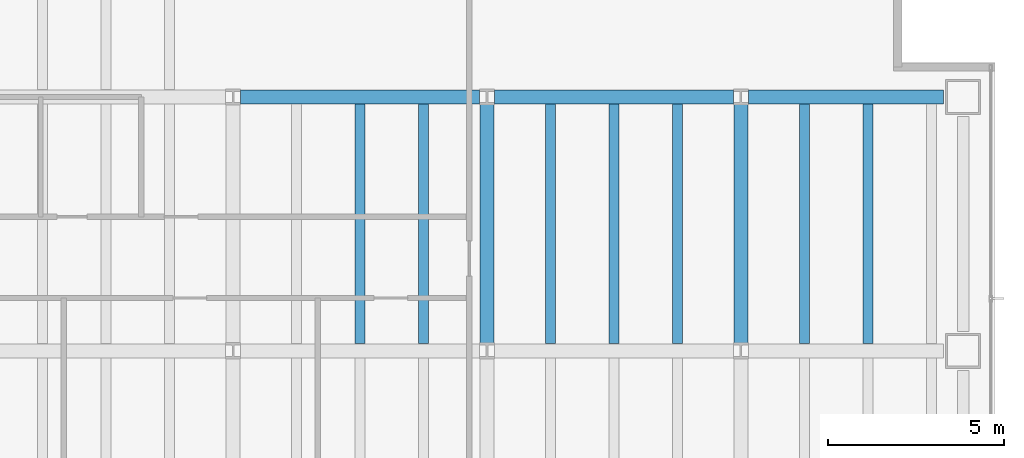
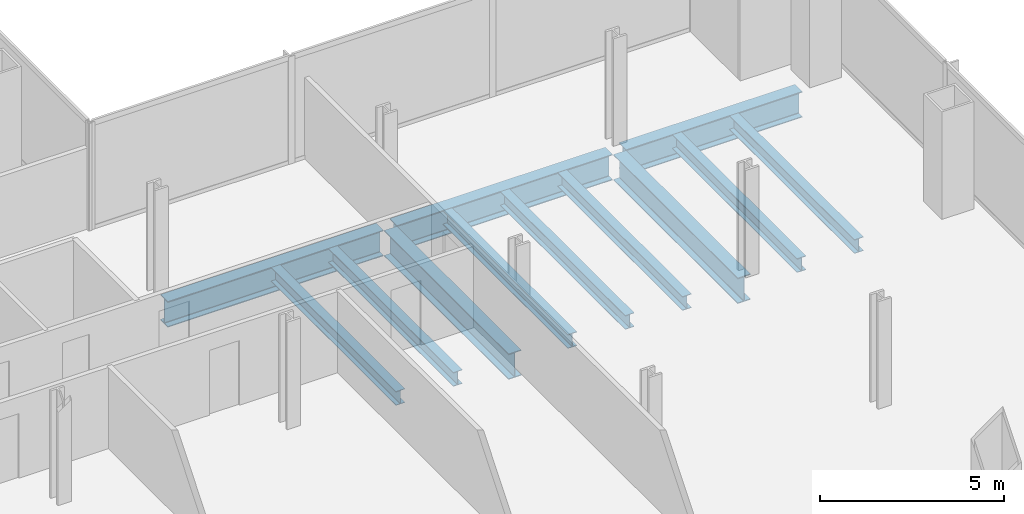
# One storey, part 11 of 25: 12 beams.
"""IFC4 building model written with IfcOpenShell, lengths in metres."""

from ifc_helpers import new_model, si_unit, direction, frame, origin, origin_2d, place, context, subcontext, project, spatial, i_section, extrude, material, material_profile, profile_set, type_object, element, save


model = new_model("IFC4")

# Units and contexts
model_context = context("Model", 3, precision=1e-05, world=origin(), true_north=direction((0.0, 1.0)))
body_context = subcontext(model_context, "Body", "Model", "MODEL_VIEW")
ifc_project = project(units=[si_unit("LENGTHUNIT", "METRE"), si_unit("AREAUNIT", "SQUARE_METRE"), si_unit("VOLUMEUNIT", "CUBIC_METRE"), si_unit("PLANEANGLEUNIT", "RADIAN"), si_unit("MASSUNIT", "GRAM", prefix="KILO")], contexts=[model_context])

# Site, building, storey
site_placement = place(None, origin())
site = spatial("IfcSite", under=ifc_project, at=site_placement, CompositionType="ELEMENT")
building_placement = place(site_placement, origin())
building = spatial("IfcBuilding", under=site, at=building_placement, Name="Cobrela Telecom Tower", CompositionType="ELEMENT")
storey_placement = place(building_placement, frame((0.0, 0.0, 46.550048828125)))
storey = spatial("IfcBuildingStorey", under=building, at=storey_placement, Name="L11", CompositionType="ELEMENT", Elevation=46.550048828125)

# Beams
ifc_material = material(Name="Steel ASTM A992 Grade 50", Category="steel")
ifc_material_profile_1 = material_profile(ifc_material, i_section(OverallWidth=0.39892578125, OverallDepth=0.85595703125, WebThickness=0.018310546875, FlangeThickness=0.029296875, FilletRadius=0.02001953125, at=origin_2d()), Name="W33X201")
ifc_profile_set_1 = profile_set([ifc_material_profile_1], Name="Steel ASTM A992 Grade 50")
beam_type_1 = type_object("IfcBeamType", Name="BM-GIRD-03", PredefinedType="USERDEFINED", material=ifc_profile_set_1)
for number, where, z_axis, x_axis, name in (
    (1, (29.01611328125, 21.60009765625, -0.7080078125), (1.0, 0.0, 0.0), (0.0, 1.0, 0.0), "L11 Primary Girder X20"),
    (2, (36.216064453125, 21.60009765625, -0.7080078125), (1.0, 0.0, 0.0), (0.0, 1.0, 0.0), "L11 Primary Girder X21"),
):
    element("IfcBeam", number, at=place(storey_placement, frame(where, z_axis=z_axis, x_axis=x_axis)), inside=storey, type_object=beam_type_1, Name=name, ObjectType="GIRDER", PredefinedType="USERDEFINED", context=body_context, shape_type="SweptSolid", body=[
        extrude(i_section(OverallWidth=0.39892578125, OverallDepth=0.85595703125, WebThickness=0.018310546875, FlangeThickness=0.029296875, FilletRadius=0.02001953125, at=origin_2d()), origin(), (0.0, 0.0, 1.0), 6.767822265625),
    ])
beam_placement = place(storey_placement, frame((43.416015625, 21.60009765625, -0.7080078125), z_axis=(1.0, 0.0, 0.0), x_axis=(0.0, 1.0, 0.0)))
element("IfcBeam", 3, at=beam_placement, inside=storey, type_object=beam_type_1, Name="L11 Primary Girder X22", ObjectType="GIRDER", PredefinedType="USERDEFINED", context=body_context, shape_type="SweptSolid", body=[
    extrude(i_section(OverallWidth=0.39892578125, OverallDepth=0.85595703125, WebThickness=0.018310546875, FlangeThickness=0.029296875, FilletRadius=0.02001953125, at=origin_2d()), origin(), (0.0, 0.0, 1.0), 5.529052734375),
])
for number, where, z_axis, x_axis, name in (
    (4, (36.0, 14.615966796875, -0.7080078125), (0.0, 1.0, 0.0), (-1.0, 0.0, 0.0), "L11 Primary Girder Y52"),
    (5, (43.199951171875, 14.615966796875, -0.7080078125), (0.0, 1.0, 0.0), (-1.0, 0.0, 0.0), "L11 Primary Girder Y55"),
):
    element("IfcBeam", number, at=place(storey_placement, frame(where, z_axis=z_axis, x_axis=x_axis)), inside=storey, type_object=beam_type_1, Name=name, ObjectType="GIRDER", PredefinedType="USERDEFINED", context=body_context, shape_type="SweptSolid", body=[
        extrude(i_section(OverallWidth=0.39892578125, OverallDepth=0.85595703125, WebThickness=0.018310546875, FlangeThickness=0.029296875, FilletRadius=0.02001953125, at=origin_2d()), origin(), (0.0, 0.0, 1.0), 6.76806640625),
    ])
ifc_material_profile_2 = material_profile(ifc_material, i_section(OverallWidth=0.281982421875, OverallDepth=0.467041015625, WebThickness=0.01220703125, FlangeThickness=0.01953125, FilletRadius=0.012939453125, at=origin_2d()), Name="W18X86")
ifc_profile_set_2 = profile_set([ifc_material_profile_2], Name="Steel ASTM A992 Grade 50")
beam_type_2 = type_object("IfcBeamType", Name="BM-JOIST-02", PredefinedType="JOIST", material=ifc_profile_set_2)
for number, where, z_axis, x_axis, name in (
    (6, (32.39990234375, 14.6044921875, -0.513427734375), (0.0, 1.0, 0.0), (-1.0, 0.0, 0.0), "L11 Secondary Composite Floor Beam J46"),
    (7, (34.199951171875, 14.6044921875, -0.513427734375), (0.0, 1.0, 0.0), (-1.0, 0.0, 0.0), "L11 Secondary Composite Floor Beam J49"),
    (8, (37.800048828125, 14.6044921875, -0.513427734375), (0.0, 1.0, 0.0), (-1.0, 0.0, 0.0), "L11 Secondary Composite Floor Beam J52"),
    (9, (39.60009765625, 14.6044921875, -0.513427734375), (0.0, 1.0, 0.0), (-1.0, 0.0, 0.0), "L11 Secondary Composite Floor Beam J55"),
    (10, (41.39990234375, 14.6044921875, -0.513427734375), (0.0, 1.0, 0.0), (-1.0, 0.0, 0.0), "L11 Secondary Composite Floor Beam J58"),
    (11, (45.0, 14.6044921875, -0.513427734375), (0.0, 1.0, 0.0), (-1.0, 0.0, 0.0), "L11 Secondary Composite Floor Beam J60"),
    (12, (46.800048828125, 14.6044921875, -0.513427734375), (0.0, 1.0, 0.0), (-1.0, 0.0, 0.0), "L11 Secondary Composite Floor Beam J62"),
):
    element("IfcBeam", number, at=place(storey_placement, frame(where, z_axis=z_axis, x_axis=x_axis)), inside=storey, type_object=beam_type_2, Name=name, PredefinedType="JOIST", context=body_context, shape_type="SweptSolid", body=[
        extrude(i_section(OverallWidth=0.281982421875, OverallDepth=0.467041015625, WebThickness=0.01220703125, FlangeThickness=0.01953125, FilletRadius=0.012939453125, at=origin_2d()), origin(), (0.0, 0.0, 1.0), 6.791015625),
    ])

save(model, "model.ifc")
